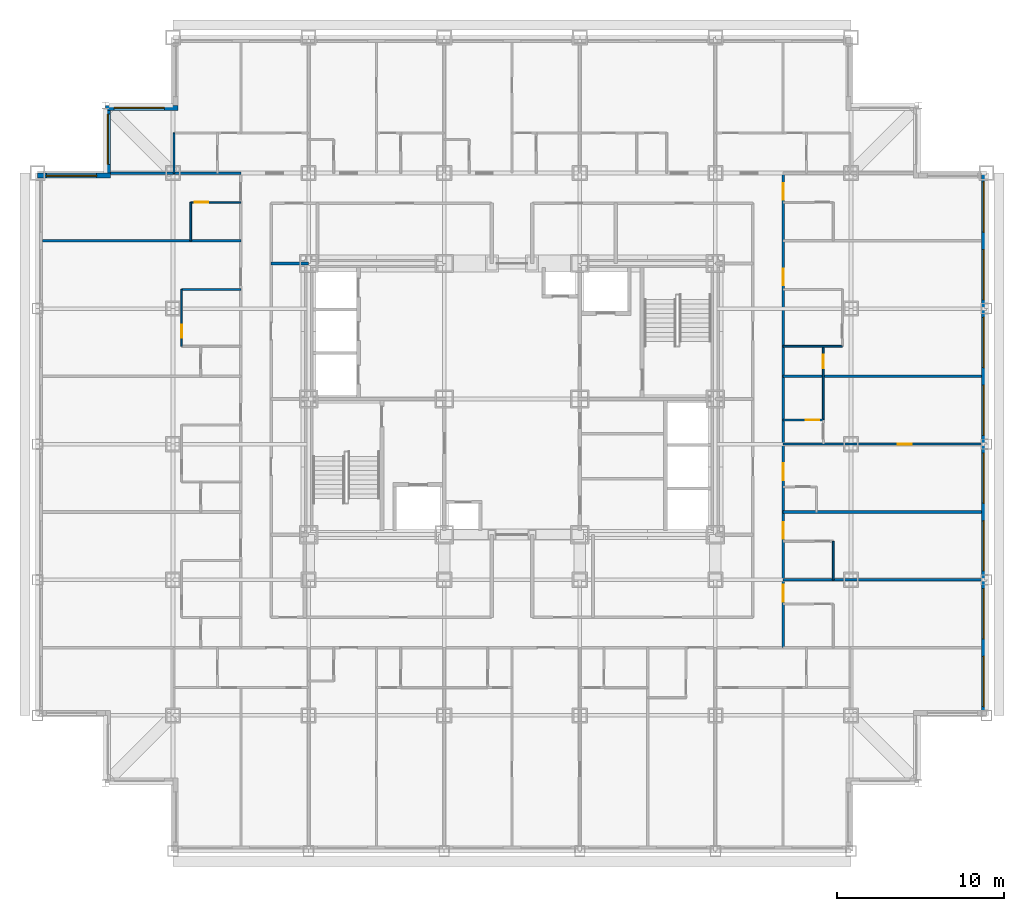
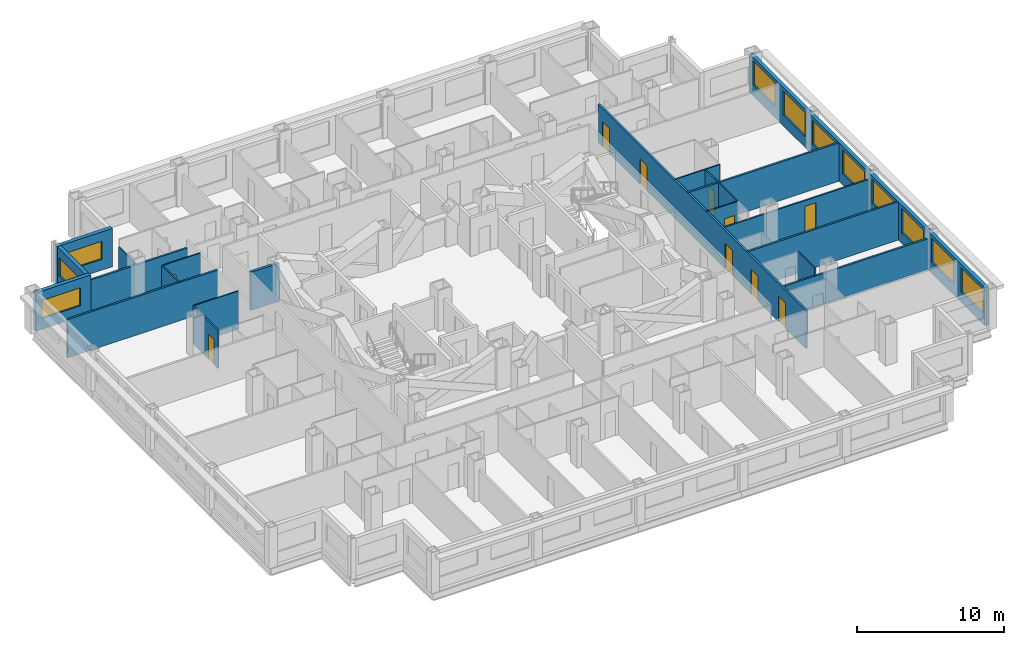
# One storey, part 8 of 12: 21 walls, 11 windows, 10 doors, 21 openings.
"""IFC4 building model written with IfcOpenShell, lengths in metres."""

from ifc_helpers import new_model, si_unit, direction, frame, frame_2d, origin, place, context, subcontext, project, spatial, rectangle, extrude, material, layer, layer_set, type_object, element, fill, save


model = new_model("IFC4")

# Units and contexts
model_context = context("Model", 3, precision=1e-05, world=origin(), true_north=direction((0.0, 1.0)))
body_context = subcontext(model_context, "Body", "Model", "MODEL_VIEW")
ifc_project = project(units=[si_unit("LENGTHUNIT", "METRE"), si_unit("AREAUNIT", "SQUARE_METRE"), si_unit("VOLUMEUNIT", "CUBIC_METRE"), si_unit("PLANEANGLEUNIT", "RADIAN"), si_unit("MASSUNIT", "GRAM", prefix="KILO")], contexts=[model_context])

# Site, building, storey
site_placement = place(None, origin())
site = spatial("IfcSite", under=ifc_project, at=site_placement, CompositionType="ELEMENT")
building_placement = place(site_placement, origin())
building = spatial("IfcBuilding", under=site, at=building_placement, Name="Kopane Lantern Tower", CompositionType="ELEMENT")
storey_placement = place(building_placement, frame((0.0, 0.0, 117.0)))
storey = spatial("IfcBuildingStorey", under=building, at=storey_placement, Name="L29", CompositionType="ELEMENT", Elevation=117.0)

# Wall, opening, door
ifc_material_1 = material(Name="Gypsum board on steel studs", Category="steel")
ifc_layer_1 = layer(ifc_material_1, 0.1201171875)
ifc_layer_set_1 = layer_set([ifc_layer_1], Name="APARTMENT INTERNAL WALL 120")
wall_type_1 = type_object("IfcWallType", Name="APARTMENT INTERNAL WALL 120", PredefinedType="PARTITIONING", material=ifc_layer_set_1)
wall_1_placement = place(storey_placement, frame((44.550048828125, 29.699951171875, 0.0), z_axis=(0.0, 0.0, 1.0), x_axis=(1.0, 0.0, 0.0)))
wall_1 = element("IfcWall", 1, at=wall_1_placement, inside=storey, type_object=wall_type_1, Name="Apartment Internal Wall 120 L29", PredefinedType="PARTITIONING", context=body_context, shape_type="SweptSolid", body=[
    extrude(rectangle(XDim=11.849853515625, YDim=0.1201171875, at=frame_2d((5.9248046875, 0.0))), origin(), (0.0, 0.0, 1.0), 2.577880859375),
])
opening_1_placement = place(wall_1_placement, frame((6.85009765625, 0.0, 0.0)))
opening_1 = element("IfcOpeningElement", 2, at=opening_1_placement, cuts=wall_1, Name="Opening L29-053", PredefinedType="OPENING", context=body_context, shape_type="SweptSolid", body=[
    extrude(rectangle(XDim=0.85009765625, YDim=2.10009765625, at=frame_2d((0.425048828125, 1.050048828125))), frame((0.0, 0.070068359375, 0.0), z_axis=(0.0, -1.0, 0.0), x_axis=(1.0, 0.0, 0.0)), (0.0, 0.0, 1.0), 0.14013671875),
])
ifc_material_2 = material(Name="Timber door set", Category="wood")
door_type_1 = type_object("IfcDoorType", Name="DOOR D4 850x2100", OperationType="SINGLE_SWING_LEFT", PredefinedType="DOOR", material=ifc_material_2)
door_1_placement = place(opening_1_placement, origin())
door_1 = element("IfcDoor", 3, at=door_1_placement, inside=storey, type_object=door_type_1, Name="Door L29-053", OperationType="SINGLE_SWING_LEFT", OverallHeight=2.10009765625, OverallWidth=0.85009765625, PredefinedType="DOOR", context=body_context, shape_type="SweptSolid", body=[
    extrude(rectangle(XDim=0.85009765625, YDim=2.10009765625, at=frame_2d((0.425048828125, 1.050048828125))), frame((0.0, 0.02490234375, 0.0), z_axis=(0.0, -1.0, 0.0), x_axis=(1.0, 0.0, 0.0)), (0.0, 0.0, 1.0), 0.050048828125),
])
fill(opening_1, door_1)

ifc_material_3 = material(Name="Moisture-resistant board on steel studs", Category="steel")
ifc_layer_2 = layer(ifc_material_3, 0.10009765625)
ifc_layer_set_2 = layer_set([ifc_layer_2], Name="BATHROOM WALL 100")
wall_type_2 = type_object("IfcWallType", Name="BATHROOM WALL 100", PredefinedType="PARTITIONING", material=ifc_layer_set_2)
wall_2_placement = place(storey_placement, frame((8.610107421875, 35.550048828125, 0.0), z_axis=(0.0, 0.0, 1.0), x_axis=(0.0, 1.0, 0.0)))
wall_2 = element("IfcWall", 4, at=wall_2_placement, inside=storey, type_object=wall_type_2, Name="Bathroom Wall 100 L29", PredefinedType="PARTITIONING", context=body_context, shape_type="SweptSolid", body=[
    extrude(rectangle(XDim=3.39990234375, YDim=0.10009765625, at=frame_2d((1.699951171875, 0.0))), origin(), (0.0, 0.0, 1.0), 3.18994140625),
])
opening_2_placement = place(wall_2_placement, frame((0.5, 0.0, 0.0)))
opening_2 = element("IfcOpeningElement", 5, at=opening_2_placement, cuts=wall_2, Name="Opening L29-041", PredefinedType="OPENING", context=body_context, shape_type="SweptSolid", body=[
    extrude(rectangle(XDim=0.800048828125, YDim=2.10009765625, at=frame_2d((0.39990234375, 1.050048828125))), frame((0.0, 0.06005859375, 0.0), z_axis=(0.0, -1.0, 0.0), x_axis=(1.0, 0.0, 0.0)), (0.0, 0.0, 1.0), 0.1201171875),
])
ifc_material_4 = material(Name="Timber door set", Category="wood")
door_type_2 = type_object("IfcDoorType", Name="DOOR D2 800x2100", OperationType="SINGLE_SWING_LEFT", PredefinedType="DOOR", material=ifc_material_4)
door_2_placement = place(opening_2_placement, origin())
door_2 = element("IfcDoor", 6, at=door_2_placement, inside=storey, type_object=door_type_2, Name="Door L29-041", OperationType="SINGLE_SWING_RIGHT", OverallHeight=2.10009765625, OverallWidth=0.800048828125, PredefinedType="DOOR", context=body_context, shape_type="SweptSolid", body=[
    extrude(rectangle(XDim=0.800048828125, YDim=2.10009765625, at=frame_2d((0.39990234375, 1.050048828125))), frame((0.0, 0.02490234375, 0.0), z_axis=(0.0, -1.0, 0.0), x_axis=(1.0, 0.0, 0.0)), (0.0, 0.0, 1.0), 0.050048828125),
])
fill(opening_2, door_2)

# Walls
wall_3_placement = place(storey_placement, frame((12.14990234375, 38.949951171875, 0.0), z_axis=(0.0, 0.0, 1.0), x_axis=(-1.0, 0.0, 0.0)))
element("IfcWall", 7, at=wall_3_placement, inside=storey, type_object=wall_type_2, Name="Bathroom Wall 100 L29", PredefinedType="PARTITIONING", context=body_context, shape_type="SweptSolid", body=[
    extrude(rectangle(XDim=3.539794921875, YDim=0.10009765625, at=frame_2d((1.77001953125, 0.0))), origin(), (0.0, 0.0, 1.0), 3.18994140625),
])
wall_4_placement = place(storey_placement, frame((9.14990234375, 41.85009765625, 0.0), z_axis=(0.0, 0.0, 1.0), x_axis=(0.0, 1.0, 0.0)))
element("IfcWall", 8, at=wall_4_placement, inside=storey, type_object=wall_type_2, Name="Bathroom Wall 100 L29", PredefinedType="PARTITIONING", context=body_context, shape_type="SweptSolid", body=[
    extrude(rectangle(XDim=2.2998046875, YDim=0.10009765625, at=frame_2d((1.14990234375, 0.0))), origin(), (0.0, 0.0, 1.0), 3.18994140625),
])

# Wall, opening, door
wall_5_placement = place(storey_placement, frame((12.14990234375, 44.14990234375, 0.0), z_axis=(0.0, 0.0, 1.0), x_axis=(-1.0, 0.0, 0.0)))
wall_5 = element("IfcWall", 9, at=wall_5_placement, inside=storey, type_object=wall_type_2, Name="Bathroom Wall 100 L29", PredefinedType="PARTITIONING", context=body_context, shape_type="SweptSolid", body=[
    extrude(rectangle(XDim=3.0, YDim=0.10009765625, at=frame_2d((1.5, 0.0))), origin(), (0.0, 0.0, 1.0), 3.18994140625),
])
opening_3_placement = place(wall_5_placement, frame((1.949951171875, 0.0, 0.0)))
opening_3 = element("IfcOpeningElement", 10, at=opening_3_placement, cuts=wall_5, Name="Opening L29-044", PredefinedType="OPENING", context=body_context, shape_type="SweptSolid", body=[
    extrude(rectangle(XDim=0.800048828125, YDim=2.10009765625, at=frame_2d((0.39990234375, 1.050048828125))), frame((0.0, 0.06005859375, 0.0), z_axis=(0.0, -1.0, 0.0), x_axis=(1.0, 0.0, 0.0)), (0.0, 0.0, 1.0), 0.1201171875),
])
door_3_placement = place(opening_3_placement, origin())
door_3 = element("IfcDoor", 11, at=door_3_placement, inside=storey, type_object=door_type_2, Name="Door L29-044", OperationType="SINGLE_SWING_RIGHT", OverallHeight=2.10009765625, OverallWidth=0.800048828125, PredefinedType="DOOR", context=body_context, shape_type="SweptSolid", body=[
    extrude(rectangle(XDim=0.800048828125, YDim=2.10009765625, at=frame_2d((0.39990234375, 1.050048828125))), frame((0.0, 0.02490234375, 0.0), z_axis=(0.0, -1.0, 0.0), x_axis=(1.0, 0.0, 0.0)), (0.0, 0.0, 1.0), 0.050048828125),
])
fill(opening_3, door_3)

# Wall
wall_6_placement = place(storey_placement, frame((47.550048828125, 21.60009765625, 0.0), z_axis=(0.0, 0.0, 1.0), x_axis=(0.0, 1.0, 0.0)))
element("IfcWall", 12, at=wall_6_placement, inside=storey, type_object=wall_type_2, Name="Bathroom Wall 100 L29", PredefinedType="PARTITIONING", context=body_context, shape_type="SweptSolid", body=[
    extrude(rectangle(XDim=2.2998046875, YDim=0.10009765625, at=frame_2d((1.14990234375, 0.0))), origin(), (0.0, 0.0, 1.0), 3.18994140625),
])

# Wall, opening, door
wall_7_placement = place(storey_placement, frame((46.949951171875, 31.14990234375, 0.0), z_axis=(0.0, 0.0, 1.0), x_axis=(0.0, 1.0, 0.0)))
wall_7 = element("IfcWall", 13, at=wall_7_placement, inside=storey, type_object=wall_type_2, Name="Bathroom Wall 100 L29", PredefinedType="PARTITIONING", context=body_context, shape_type="SweptSolid", body=[
    extrude(rectangle(XDim=4.400146484375, YDim=0.10009765625, at=frame_2d((2.2001953125, 0.0))), origin(), (0.0, 0.0, 1.0), 3.18994140625),
])
opening_4_placement = place(wall_7_placement, frame((3.10009765625, 0.0, 0.0)))
opening_4 = element("IfcOpeningElement", 14, at=opening_4_placement, cuts=wall_7, Name="Opening L29-055", PredefinedType="OPENING", context=body_context, shape_type="SweptSolid", body=[
    extrude(rectangle(XDim=0.800048828125, YDim=2.10009765625, at=frame_2d((0.39990234375, 1.050048828125))), frame((0.0, 0.06005859375, 0.0), z_axis=(0.0, -1.0, 0.0), x_axis=(1.0, 0.0, 0.0)), (0.0, 0.0, 1.0), 0.1201171875),
])
door_4_placement = place(opening_4_placement, origin())
door_4 = element("IfcDoor", 15, at=door_4_placement, inside=storey, type_object=door_type_2, Name="Door L29-055", OperationType="SINGLE_SWING_LEFT", OverallHeight=2.10009765625, OverallWidth=0.800048828125, PredefinedType="DOOR", context=body_context, shape_type="SweptSolid", body=[
    extrude(rectangle(XDim=0.800048828125, YDim=2.10009765625, at=frame_2d((0.39990234375, 1.050048828125))), frame((0.0, 0.02490234375, 0.0), z_axis=(0.0, -1.0, 0.0), x_axis=(1.0, 0.0, 0.0)), (0.0, 0.0, 1.0), 0.050048828125),
])
fill(opening_4, door_4)

wall_8_placement = place(storey_placement, frame((44.550048828125, 31.14990234375, 0.0), z_axis=(0.0, 0.0, 1.0), x_axis=(1.0, 0.0, 0.0)))
wall_8 = element("IfcWall", 16, at=wall_8_placement, inside=storey, type_object=wall_type_2, Name="Bathroom Wall 100 L29", PredefinedType="PARTITIONING", context=body_context, shape_type="SweptSolid", body=[
    extrude(rectangle(XDim=2.39990234375, YDim=0.10009765625, at=frame_2d((1.199951171875, 0.0))), origin(), (0.0, 0.0, 1.0), 3.18994140625),
])
opening_5_placement = place(wall_8_placement, frame((1.35009765625, 0.0, 0.0)))
opening_5 = element("IfcOpeningElement", 17, at=opening_5_placement, cuts=wall_8, Name="Opening L29-052", PredefinedType="OPENING", context=body_context, shape_type="SweptSolid", body=[
    extrude(rectangle(XDim=0.800048828125, YDim=2.10009765625, at=frame_2d((0.39990234375, 1.050048828125))), frame((0.0, 0.06005859375, 0.0), z_axis=(0.0, -1.0, 0.0), x_axis=(1.0, 0.0, 0.0)), (0.0, 0.0, 1.0), 0.1201171875),
])
door_5_placement = place(opening_5_placement, origin())
door_5 = element("IfcDoor", 18, at=door_5_placement, inside=storey, type_object=door_type_2, Name="Door L29-052", OperationType="SINGLE_SWING_LEFT", OverallHeight=2.10009765625, OverallWidth=0.800048828125, PredefinedType="DOOR", context=body_context, shape_type="SweptSolid", body=[
    extrude(rectangle(XDim=0.800048828125, YDim=2.10009765625, at=frame_2d((0.39990234375, 1.050048828125))), frame((0.0, 0.02490234375, 0.0), z_axis=(0.0, -1.0, 0.0), x_axis=(1.0, 0.0, 0.0)), (0.0, 0.0, 1.0), 0.050048828125),
])
fill(opening_5, door_5)

# Walls
wall_9_placement = place(storey_placement, frame((44.550048828125, 35.550048828125, 0.0), z_axis=(0.0, 0.0, 1.0), x_axis=(1.0, 0.0, 0.0)))
element("IfcWall", 19, at=wall_9_placement, inside=storey, type_object=wall_type_2, Name="Bathroom Wall 100 L29", PredefinedType="PARTITIONING", context=body_context, shape_type="SweptSolid", body=[
    extrude(rectangle(XDim=3.5400390625, YDim=0.10009765625, at=frame_2d((1.77001953125, 0.0))), origin(), (0.0, 0.0, 1.0), 3.18994140625),
])
wall_10_placement = place(storey_placement, frame((8.14990234375, 45.89990234375, 0.0), z_axis=(0.0, 0.0, 1.0), x_axis=(0.0, 1.0, 0.0)))
element("IfcWall", 20, at=wall_10_placement, inside=storey, type_object=wall_type_2, Name="Bathroom Wall 100 L29", PredefinedType="PARTITIONING", context=body_context, shape_type="SweptSolid", body=[
    extrude(rectangle(XDim=2.400146484375, YDim=0.10009765625, at=frame_2d((1.2001953125, 0.0))), origin(), (0.0, 0.0, 1.0), 2.577880859375),
])

# Wall, openings, doors
ifc_material_5 = material(Name="Gypsum board on steel studs", Category="steel")
ifc_layer_3 = layer(ifc_material_5, 0.14990234375)
ifc_layer_set_3 = layer_set([ifc_layer_3], Name="CORRIDOR WALL 150 EI 60")
wall_type_3 = type_object("IfcWallType", Name="CORRIDOR WALL 150 EI 60", PredefinedType="PARTITIONING", material=ifc_layer_set_3)
wall_11_placement = place(storey_placement, frame((44.550048828125, 17.550048828125, 0.0), z_axis=(0.0, 0.0, 1.0), x_axis=(0.0, 1.0, 0.0)))
wall_11 = element("IfcWall", 21, at=wall_11_placement, inside=storey, type_object=wall_type_3, Name="Corridor Wall 150 Ei 60 L29", PredefinedType="PARTITIONING", context=body_context, shape_type="SweptSolid", body=[
    extrude(rectangle(XDim=28.349853515625, YDim=0.14990234375, at=frame_2d((14.1748046875, 0.0))), origin(), (0.0, 0.0, 1.0), 3.18994140625),
])
opening_6_placement = place(wall_11_placement, frame((2.75, 0.0, 0.0)))
opening_6 = element("IfcOpeningElement", 22, at=opening_6_placement, cuts=wall_11, Name="Opening L29-047", PredefinedType="OPENING", context=body_context, shape_type="SweptSolid", body=[
    extrude(rectangle(XDim=1.0, YDim=2.10009765625, at=frame_2d((0.5, 1.050048828125))), frame((0.0, 0.0849609375, 0.0), z_axis=(0.0, -1.0, 0.0), x_axis=(1.0, 0.0, 0.0)), (0.0, 0.0, 1.0), 0.169921875),
])
opening_7_placement = place(wall_11_placement, frame((6.5, 0.0, 0.0)))
opening_7 = element("IfcOpeningElement", 23, at=opening_7_placement, cuts=wall_11, Name="Opening L29-049", PredefinedType="OPENING", context=body_context, shape_type="SweptSolid", body=[
    extrude(rectangle(XDim=1.0, YDim=2.10009765625, at=frame_2d((0.5, 1.050048828125))), frame((0.0, 0.0849609375, 0.0), z_axis=(0.0, -1.0, 0.0), x_axis=(1.0, 0.0, 0.0)), (0.0, 0.0, 1.0), 0.169921875),
])
opening_8_placement = place(wall_11_placement, frame((10.0, 0.0, 0.0)))
opening_8 = element("IfcOpeningElement", 24, at=opening_8_placement, cuts=wall_11, Name="Opening L29-051", PredefinedType="OPENING", context=body_context, shape_type="SweptSolid", body=[
    extrude(rectangle(XDim=1.0, YDim=2.10009765625, at=frame_2d((0.5, 1.050048828125))), frame((0.0, 0.0849609375, 0.0), z_axis=(0.0, -1.0, 0.0), x_axis=(1.0, 0.0, 0.0)), (0.0, 0.0, 1.0), 0.169921875),
])
opening_9_placement = place(wall_11_placement, frame((21.64990234375, 0.0, 0.0)))
opening_9 = element("IfcOpeningElement", 25, at=opening_9_placement, cuts=wall_11, Name="Opening L29-056", PredefinedType="OPENING", context=body_context, shape_type="SweptSolid", body=[
    extrude(rectangle(XDim=1.0, YDim=2.10009765625, at=frame_2d((0.5, 1.050048828125))), frame((0.0, 0.0849609375, 0.0), z_axis=(0.0, -1.0, 0.0), x_axis=(1.0, 0.0, 0.0)), (0.0, 0.0, 1.0), 0.169921875),
])
opening_10_placement = place(wall_11_placement, frame((26.75, 0.0, 0.0)))
opening_10 = element("IfcOpeningElement", 26, at=opening_10_placement, cuts=wall_11, Name="Opening L29-058", PredefinedType="OPENING", context=body_context, shape_type="SweptSolid", body=[
    extrude(rectangle(XDim=1.0, YDim=2.10009765625, at=frame_2d((0.5, 1.050048828125))), frame((0.0, 0.0849609375, 0.0), z_axis=(0.0, -1.0, 0.0), x_axis=(1.0, 0.0, 0.0)), (0.0, 0.0, 1.0), 0.169921875),
])
ifc_material_6 = material(Name="Steel door set", Category="steel")
door_type_3 = type_object("IfcDoorType", Name="DOOR D1 1000x2100 FD30S", OperationType="SINGLE_SWING_LEFT", PredefinedType="DOOR", material=ifc_material_6)
door_6_placement = place(opening_6_placement, origin())
door_6 = element("IfcDoor", 27, at=door_6_placement, inside=storey, type_object=door_type_3, Name="Door L29-047", OperationType="SINGLE_SWING_RIGHT", OverallHeight=2.10009765625, OverallWidth=1.0, PredefinedType="DOOR", context=body_context, shape_type="SweptSolid", body=[
    extrude(rectangle(XDim=1.0, YDim=2.10009765625, at=frame_2d((0.5, 1.050048828125))), frame((0.0, 0.02490234375, 0.0), z_axis=(0.0, -1.0, 0.0), x_axis=(1.0, 0.0, 0.0)), (0.0, 0.0, 1.0), 0.050048828125),
])
fill(opening_6, door_6)
door_7_placement = place(opening_7_placement, origin())
door_7 = element("IfcDoor", 28, at=door_7_placement, inside=storey, type_object=door_type_3, Name="Door L29-049", OperationType="SINGLE_SWING_RIGHT", OverallHeight=2.10009765625, OverallWidth=1.0, PredefinedType="DOOR", context=body_context, shape_type="SweptSolid", body=[
    extrude(rectangle(XDim=1.0, YDim=2.10009765625, at=frame_2d((0.5, 1.050048828125))), frame((0.0, 0.02490234375, 0.0), z_axis=(0.0, -1.0, 0.0), x_axis=(1.0, 0.0, 0.0)), (0.0, 0.0, 1.0), 0.050048828125),
])
fill(opening_7, door_7)
door_8_placement = place(opening_8_placement, origin())
door_8 = element("IfcDoor", 29, at=door_8_placement, inside=storey, type_object=door_type_3, Name="Door L29-051", OperationType="SINGLE_SWING_RIGHT", OverallHeight=2.10009765625, OverallWidth=1.0, PredefinedType="DOOR", context=body_context, shape_type="SweptSolid", body=[
    extrude(rectangle(XDim=1.0, YDim=2.10009765625, at=frame_2d((0.5, 1.050048828125))), frame((0.0, 0.02490234375, 0.0), z_axis=(0.0, -1.0, 0.0), x_axis=(1.0, 0.0, 0.0)), (0.0, 0.0, 1.0), 0.050048828125),
])
fill(opening_8, door_8)
door_9_placement = place(opening_9_placement, origin())
door_9 = element("IfcDoor", 30, at=door_9_placement, inside=storey, type_object=door_type_3, Name="Door L29-056", OperationType="SINGLE_SWING_RIGHT", OverallHeight=2.10009765625, OverallWidth=1.0, PredefinedType="DOOR", context=body_context, shape_type="SweptSolid", body=[
    extrude(rectangle(XDim=1.0, YDim=2.10009765625, at=frame_2d((0.5, 1.050048828125))), frame((0.0, 0.02490234375, 0.0), z_axis=(0.0, -1.0, 0.0), x_axis=(1.0, 0.0, 0.0)), (0.0, 0.0, 1.0), 0.050048828125),
])
fill(opening_9, door_9)
door_10_placement = place(opening_10_placement, origin())
door_10 = element("IfcDoor", 31, at=door_10_placement, inside=storey, type_object=door_type_3, Name="Door L29-058", OperationType="SINGLE_SWING_RIGHT", OverallHeight=2.10009765625, OverallWidth=1.0, PredefinedType="DOOR", context=body_context, shape_type="SweptSolid", body=[
    extrude(rectangle(XDim=1.0, YDim=2.10009765625, at=frame_2d((0.5, 1.050048828125))), frame((0.0, 0.02490234375, 0.0), z_axis=(0.0, -1.0, 0.0), x_axis=(1.0, 0.0, 0.0)), (0.0, 0.0, 1.0), 0.050048828125),
])
fill(opening_10, door_10)

# Walls
ifc_material_7 = material(Name="Gypsum board on steel studs", Category="steel")
ifc_layer_4 = layer(ifc_material_7, 0.14990234375)
ifc_layer_set_4 = layer_set([ifc_layer_4], Name="DEMISING WALL 150 EI 60")
wall_type_4 = type_object("IfcWallType", Name="DEMISING WALL 150 EI 60", PredefinedType="PARTITIONING", material=ifc_layer_set_4)
wall_12_placement = place(storey_placement, frame((12.14990234375, 41.85009765625, 0.0), z_axis=(0.0, 0.0, 1.0), x_axis=(-1.0, 0.0, 0.0)))
element("IfcWall", 32, at=wall_12_placement, inside=storey, type_object=wall_type_4, Name="Demising Wall 150 Ei 60 L29", PredefinedType="PARTITIONING", context=body_context, shape_type="SweptSolid", body=[
    extrude(rectangle(XDim=11.849853515625, YDim=0.14990234375, at=frame_2d((5.9248046875, 0.0))), origin(), (0.0, 0.0, 1.0), 3.18994140625),
])
wall_13_placement = place(storey_placement, frame((44.550048828125, 21.60009765625, 0.0), z_axis=(0.0, 0.0, 1.0), x_axis=(1.0, 0.0, 0.0)))
element("IfcWall", 33, at=wall_13_placement, inside=storey, type_object=wall_type_4, Name="Demising Wall 150 Ei 60 L29", PredefinedType="PARTITIONING", context=body_context, shape_type="SweptSolid", body=[
    extrude(rectangle(XDim=11.849853515625, YDim=0.14990234375, at=frame_2d((5.9248046875, 0.0))), origin(), (0.0, 0.0, 1.0), 2.577880859375),
])
for number, where, z_axis, x_axis, name in (
    (34, (44.550048828125, 25.64990234375, 0.0), (0.0, 0.0, 1.0), (1.0, 0.0, 0.0), "Demising Wall 150 Ei 60 L29"),
    (35, (44.550048828125, 33.75, 0.0), (0.0, 0.0, 1.0), (1.0, 0.0, 0.0), "Demising Wall 150 Ei 60 L29"),
):
    element("IfcWall", number, at=place(storey_placement, frame(where, z_axis=z_axis, x_axis=x_axis)), inside=storey, type_object=wall_type_4, Name=name, PredefinedType="PARTITIONING", context=body_context, shape_type="SweptSolid", body=[
        extrude(rectangle(XDim=11.849853515625, YDim=0.14990234375, at=frame_2d((5.9248046875, 0.0))), origin(), (0.0, 0.0, 1.0), 3.18994140625),
    ])
wall_14_placement = place(storey_placement, frame((4.35009765625, 45.89990234375, 0.0), z_axis=(0.0, 0.0, 1.0), x_axis=(1.0, 0.0, 0.0)))
element("IfcWall", 36, at=wall_14_placement, inside=storey, type_object=wall_type_4, Name="Demising Wall 150 Ei 60 L29", PredefinedType="PARTITIONING", context=body_context, shape_type="SweptSolid", body=[
    extrude(rectangle(XDim=7.7998046875, YDim=0.14990234375, at=frame_2d((3.89990234375, 0.0))), origin(), (0.0, 0.0, 1.0), 2.577880859375),
])

# Wall, openings, windows
ifc_material_8 = material(Name="Terracotta rainscreen on light steel framing", Category="masonry")
ifc_layer_5 = layer(ifc_material_8, 0.300048828125)
ifc_layer_set_5 = layer_set([ifc_layer_5], Name="EXTERNAL WALL EW1 300 TERRACOTTA")
wall_type_5 = type_object("IfcWallType", Name="EXTERNAL WALL EW1 300 TERRACOTTA", PredefinedType="SOLIDWALL", material=ifc_layer_set_5)
wall_15_placement = place(storey_placement, frame((56.550048828125, 13.800048828125, 0.0), z_axis=(0.0, 0.0, 1.0), x_axis=(0.0, 1.0, 0.0)))
wall_15 = element("IfcWall", 37, at=wall_15_placement, inside=storey, type_object=wall_type_5, Name="External wall E L29", PredefinedType="SOLIDWALL", context=body_context, shape_type="SweptSolid", body=[
    extrude(rectangle(XDim=32.099853515625, YDim=0.300048828125, at=frame_2d((16.0498046875, 0.0))), origin(), (0.0, 0.0, 1.0), 3.18994140625),
])
opening_11_placement = place(wall_15_placement, frame((0.22509765625, 0.0, 0.89990234375)))
opening_11 = element("IfcOpeningElement", 38, at=opening_11_placement, cuts=wall_15, Name="Opening WR300200", PredefinedType="OPENING", context=body_context, shape_type="SweptSolid", body=[
    extrude(rectangle(XDim=3.0, YDim=2.0, at=frame_2d((1.5, 1.0))), frame((0.0, 0.159912109375, 0.0), z_axis=(0.0, -1.0, 0.0), x_axis=(1.0, 0.0, 0.0)), (0.0, 0.0, 1.0), 0.320068359375),
])
opening_12_placement = place(wall_15_placement, frame((4.27490234375, 0.0, 0.89990234375)))
opening_12 = element("IfcOpeningElement", 39, at=opening_12_placement, cuts=wall_15, Name="Opening WR300200", PredefinedType="OPENING", context=body_context, shape_type="SweptSolid", body=[
    extrude(rectangle(XDim=3.0, YDim=2.0, at=frame_2d((1.5, 1.0))), frame((0.0, 0.159912109375, 0.0), z_axis=(0.0, -1.0, 0.0), x_axis=(1.0, 0.0, 0.0)), (0.0, 0.0, 1.0), 0.320068359375),
])
opening_13_placement = place(wall_15_placement, frame((8.324951171875, 0.0, 0.89990234375)))
opening_13 = element("IfcOpeningElement", 40, at=opening_13_placement, cuts=wall_15, Name="Opening WR300200", PredefinedType="OPENING", context=body_context, shape_type="SweptSolid", body=[
    extrude(rectangle(XDim=3.0, YDim=2.0, at=frame_2d((1.5, 1.0))), frame((0.0, 0.159912109375, 0.0), z_axis=(0.0, -1.0, 0.0), x_axis=(1.0, 0.0, 0.0)), (0.0, 0.0, 1.0), 0.320068359375),
])
opening_14_placement = place(wall_15_placement, frame((12.375, 0.0, 0.89990234375)))
opening_14 = element("IfcOpeningElement", 41, at=opening_14_placement, cuts=wall_15, Name="Opening WR300200", PredefinedType="OPENING", context=body_context, shape_type="SweptSolid", body=[
    extrude(rectangle(XDim=3.0, YDim=2.0, at=frame_2d((1.5, 1.0))), frame((0.0, 0.159912109375, 0.0), z_axis=(0.0, -1.0, 0.0), x_axis=(1.0, 0.0, 0.0)), (0.0, 0.0, 1.0), 0.320068359375),
])
opening_15_placement = place(wall_15_placement, frame((16.425048828125, 0.0, 0.89990234375)))
opening_15 = element("IfcOpeningElement", 42, at=opening_15_placement, cuts=wall_15, Name="Opening WR300200", PredefinedType="OPENING", context=body_context, shape_type="SweptSolid", body=[
    extrude(rectangle(XDim=3.0, YDim=2.0, at=frame_2d((1.5, 1.0))), frame((0.0, 0.159912109375, 0.0), z_axis=(0.0, -1.0, 0.0), x_axis=(1.0, 0.0, 0.0)), (0.0, 0.0, 1.0), 0.320068359375),
])
opening_16_placement = place(wall_15_placement, frame((20.47509765625, 0.0, 0.89990234375)))
opening_16 = element("IfcOpeningElement", 43, at=opening_16_placement, cuts=wall_15, Name="Opening WR300200", PredefinedType="OPENING", context=body_context, shape_type="SweptSolid", body=[
    extrude(rectangle(XDim=3.0, YDim=2.0, at=frame_2d((1.5, 1.0))), frame((0.0, 0.159912109375, 0.0), z_axis=(0.0, -1.0, 0.0), x_axis=(1.0, 0.0, 0.0)), (0.0, 0.0, 1.0), 0.320068359375),
])
opening_17_placement = place(wall_15_placement, frame((24.52490234375, 0.0, 0.89990234375)))
opening_17 = element("IfcOpeningElement", 44, at=opening_17_placement, cuts=wall_15, Name="Opening WR300200", PredefinedType="OPENING", context=body_context, shape_type="SweptSolid", body=[
    extrude(rectangle(XDim=3.0, YDim=2.0, at=frame_2d((1.5, 1.0))), frame((0.0, 0.159912109375, 0.0), z_axis=(0.0, -1.0, 0.0), x_axis=(1.0, 0.0, 0.0)), (0.0, 0.0, 1.0), 0.320068359375),
])
opening_18_placement = place(wall_15_placement, frame((28.574951171875, 0.0, 0.89990234375)))
opening_18 = element("IfcOpeningElement", 45, at=opening_18_placement, cuts=wall_15, Name="Opening WR300200", PredefinedType="OPENING", context=body_context, shape_type="SweptSolid", body=[
    extrude(rectangle(XDim=3.0, YDim=2.0, at=frame_2d((1.5, 1.0))), frame((0.0, 0.159912109375, 0.0), z_axis=(0.0, -1.0, 0.0), x_axis=(1.0, 0.0, 0.0)), (0.0, 0.0, 1.0), 0.320068359375),
])
ifc_material_9 = material(Name="Aluminium and clear glass", Category="aluminium")
window_type_1 = type_object("IfcWindowType", Name="RIBBON WINDOW WR300200 3000x2000", PartitioningType="SINGLE_PANEL", PredefinedType="WINDOW", material=ifc_material_9)
window_1_placement = place(opening_11_placement, origin())
window_1 = element("IfcWindow", 46, at=window_1_placement, inside=storey, type_object=window_type_1, Name="Window E L29", OverallHeight=2.0, OverallWidth=3.0, PartitioningType="SINGLE_PANEL", PredefinedType="WINDOW", context=body_context, shape_type="SweptSolid", body=[
    extrude(rectangle(XDim=3.0, YDim=2.0, at=frame_2d((1.5, 1.0))), frame((0.0, 0.030029296875, 0.0), z_axis=(0.0, -1.0, 0.0), x_axis=(1.0, 0.0, 0.0)), (0.0, 0.0, 1.0), 0.06005859375),
])
fill(opening_11, window_1)
window_2_placement = place(opening_12_placement, origin())
window_2 = element("IfcWindow", 47, at=window_2_placement, inside=storey, type_object=window_type_1, Name="Window E L29", OverallHeight=2.0, OverallWidth=3.0, PartitioningType="SINGLE_PANEL", PredefinedType="WINDOW", context=body_context, shape_type="SweptSolid", body=[
    extrude(rectangle(XDim=3.0, YDim=2.0, at=frame_2d((1.5, 1.0))), frame((0.0, 0.030029296875, 0.0), z_axis=(0.0, -1.0, 0.0), x_axis=(1.0, 0.0, 0.0)), (0.0, 0.0, 1.0), 0.06005859375),
])
fill(opening_12, window_2)
window_3_placement = place(opening_13_placement, origin())
window_3 = element("IfcWindow", 48, at=window_3_placement, inside=storey, type_object=window_type_1, Name="Window E L29", OverallHeight=2.0, OverallWidth=3.0, PartitioningType="SINGLE_PANEL", PredefinedType="WINDOW", context=body_context, shape_type="SweptSolid", body=[
    extrude(rectangle(XDim=3.0, YDim=2.0, at=frame_2d((1.5, 1.0))), frame((0.0, 0.030029296875, 0.0), z_axis=(0.0, -1.0, 0.0), x_axis=(1.0, 0.0, 0.0)), (0.0, 0.0, 1.0), 0.06005859375),
])
fill(opening_13, window_3)
window_4_placement = place(opening_14_placement, origin())
window_4 = element("IfcWindow", 49, at=window_4_placement, inside=storey, type_object=window_type_1, Name="Window E L29", OverallHeight=2.0, OverallWidth=3.0, PartitioningType="SINGLE_PANEL", PredefinedType="WINDOW", context=body_context, shape_type="SweptSolid", body=[
    extrude(rectangle(XDim=3.0, YDim=2.0, at=frame_2d((1.5, 1.0))), frame((0.0, 0.030029296875, 0.0), z_axis=(0.0, -1.0, 0.0), x_axis=(1.0, 0.0, 0.0)), (0.0, 0.0, 1.0), 0.06005859375),
])
fill(opening_14, window_4)
window_5_placement = place(opening_15_placement, origin())
window_5 = element("IfcWindow", 50, at=window_5_placement, inside=storey, type_object=window_type_1, Name="Window E L29", OverallHeight=2.0, OverallWidth=3.0, PartitioningType="SINGLE_PANEL", PredefinedType="WINDOW", context=body_context, shape_type="SweptSolid", body=[
    extrude(rectangle(XDim=3.0, YDim=2.0, at=frame_2d((1.5, 1.0))), frame((0.0, 0.030029296875, 0.0), z_axis=(0.0, -1.0, 0.0), x_axis=(1.0, 0.0, 0.0)), (0.0, 0.0, 1.0), 0.06005859375),
])
fill(opening_15, window_5)
window_6_placement = place(opening_16_placement, origin())
window_6 = element("IfcWindow", 51, at=window_6_placement, inside=storey, type_object=window_type_1, Name="Window E L29", OverallHeight=2.0, OverallWidth=3.0, PartitioningType="SINGLE_PANEL", PredefinedType="WINDOW", context=body_context, shape_type="SweptSolid", body=[
    extrude(rectangle(XDim=3.0, YDim=2.0, at=frame_2d((1.5, 1.0))), frame((0.0, 0.030029296875, 0.0), z_axis=(0.0, -1.0, 0.0), x_axis=(1.0, 0.0, 0.0)), (0.0, 0.0, 1.0), 0.06005859375),
])
fill(opening_16, window_6)
window_7_placement = place(opening_17_placement, origin())
window_7 = element("IfcWindow", 52, at=window_7_placement, inside=storey, type_object=window_type_1, Name="Window E L29", OverallHeight=2.0, OverallWidth=3.0, PartitioningType="SINGLE_PANEL", PredefinedType="WINDOW", context=body_context, shape_type="SweptSolid", body=[
    extrude(rectangle(XDim=3.0, YDim=2.0, at=frame_2d((1.5, 1.0))), frame((0.0, 0.030029296875, 0.0), z_axis=(0.0, -1.0, 0.0), x_axis=(1.0, 0.0, 0.0)), (0.0, 0.0, 1.0), 0.06005859375),
])
fill(opening_17, window_7)
window_8_placement = place(opening_18_placement, origin())
window_8 = element("IfcWindow", 53, at=window_8_placement, inside=storey, type_object=window_type_1, Name="Window E L29", OverallHeight=2.0, OverallWidth=3.0, PartitioningType="SINGLE_PANEL", PredefinedType="WINDOW", context=body_context, shape_type="SweptSolid", body=[
    extrude(rectangle(XDim=3.0, YDim=2.0, at=frame_2d((1.5, 1.0))), frame((0.0, 0.030029296875, 0.0), z_axis=(0.0, -1.0, 0.0), x_axis=(1.0, 0.0, 0.0)), (0.0, 0.0, 1.0), 0.06005859375),
])
fill(opening_18, window_8)

# Wall, opening, window
wall_16_placement = place(storey_placement, frame((8.39990234375, 49.800048828125, 0.0), z_axis=(0.0, 0.0, 1.0), x_axis=(-1.0, 0.0, 0.0)))
wall_16 = element("IfcWall", 54, at=wall_16_placement, inside=storey, type_object=wall_type_5, Name="External wall N L29", PredefinedType="SOLIDWALL", context=body_context, shape_type="SweptSolid", body=[
    extrude(rectangle(XDim=4.349853515625, YDim=0.300048828125, at=frame_2d((2.1748046875, 0.0))), origin(), (0.0, 0.0, 1.0), 3.18994140625),
])
opening_19_placement = place(wall_16_placement, frame((0.824951171875, 0.0, 0.89990234375)))
opening_19 = element("IfcOpeningElement", 55, at=opening_19_placement, cuts=wall_16, Name="Opening WR300150", PredefinedType="OPENING", context=body_context, shape_type="SweptSolid", body=[
    extrude(rectangle(XDim=3.0, YDim=1.5, at=frame_2d((1.5, 0.75))), frame((0.0, 0.159912109375, 0.0), z_axis=(0.0, -1.0, 0.0), x_axis=(1.0, 0.0, 0.0)), (0.0, 0.0, 1.0), 0.320068359375),
])
ifc_material_10 = material(Name="Aluminium and clear glass", Category="aluminium")
window_type_2 = type_object("IfcWindowType", Name="RIBBON WINDOW WR300150 3000x1500", PartitioningType="SINGLE_PANEL", PredefinedType="WINDOW", material=ifc_material_10)
window_9_placement = place(opening_19_placement, origin())
window_9 = element("IfcWindow", 56, at=window_9_placement, inside=storey, type_object=window_type_2, Name="Window N L29", OverallHeight=1.5, OverallWidth=3.0, PartitioningType="SINGLE_PANEL", PredefinedType="WINDOW", context=body_context, shape_type="SweptSolid", body=[
    extrude(rectangle(XDim=3.0, YDim=1.5, at=frame_2d((1.5, 0.75))), frame((0.0, 0.030029296875, 0.0), z_axis=(0.0, -1.0, 0.0), x_axis=(1.0, 0.0, 0.0)), (0.0, 0.0, 1.0), 0.06005859375),
])
fill(opening_19, window_9)

wall_17_placement = place(storey_placement, frame((4.199951171875, 49.64990234375, 0.0), z_axis=(0.0, 0.0, 1.0), x_axis=(0.0, -1.0, 0.0)))
wall_17 = element("IfcWall", 57, at=wall_17_placement, inside=storey, type_object=wall_type_5, Name="External wall W L29", PredefinedType="SOLIDWALL", context=body_context, shape_type="SweptSolid", body=[
    extrude(rectangle(XDim=3.75, YDim=0.300048828125, at=frame_2d((1.875, 0.0))), origin(), (0.0, 0.0, 1.0), 3.18994140625),
])
opening_20_placement = place(wall_17_placement, frame((0.22509765625, 0.0, 0.89990234375)))
opening_20 = element("IfcOpeningElement", 58, at=opening_20_placement, cuts=wall_17, Name="Opening WR300150", PredefinedType="OPENING", context=body_context, shape_type="SweptSolid", body=[
    extrude(rectangle(XDim=3.0, YDim=1.5, at=frame_2d((1.5, 0.75))), frame((0.0, 0.159912109375, 0.0), z_axis=(0.0, -1.0, 0.0), x_axis=(1.0, 0.0, 0.0)), (0.0, 0.0, 1.0), 0.320068359375),
])
window_10_placement = place(opening_20_placement, origin())
window_10 = element("IfcWindow", 59, at=window_10_placement, inside=storey, type_object=window_type_2, Name="Window W L29", OverallHeight=1.5, OverallWidth=3.0, PartitioningType="SINGLE_PANEL", PredefinedType="WINDOW", context=body_context, shape_type="SweptSolid", body=[
    extrude(rectangle(XDim=3.0, YDim=1.5, at=frame_2d((1.5, 0.75))), frame((0.0, 0.030029296875, 0.0), z_axis=(0.0, -1.0, 0.0), x_axis=(1.0, 0.0, 0.0)), (0.0, 0.0, 1.0), 0.06005859375),
])
fill(opening_20, window_10)

wall_18_placement = place(storey_placement, frame((4.35009765625, 45.75, 0.0), z_axis=(0.0, 0.0, 1.0), x_axis=(-1.0, 0.0, 0.0)))
wall_18 = element("IfcWall", 60, at=wall_18_placement, inside=storey, type_object=wall_type_5, Name="External wall N L29", PredefinedType="SOLIDWALL", context=body_context, shape_type="SweptSolid", body=[
    extrude(rectangle(XDim=4.35009765625, YDim=0.300048828125, at=frame_2d((2.175048828125, 0.0))), origin(), (0.0, 0.0, 1.0), 3.18994140625),
])
opening_21_placement = place(wall_18_placement, frame((0.824951171875, 0.0, 0.89990234375)))
opening_21 = element("IfcOpeningElement", 61, at=opening_21_placement, cuts=wall_18, Name="Opening WR300150", PredefinedType="OPENING", context=body_context, shape_type="SweptSolid", body=[
    extrude(rectangle(XDim=3.0, YDim=1.5, at=frame_2d((1.5, 0.75))), frame((0.0, 0.159912109375, 0.0), z_axis=(0.0, -1.0, 0.0), x_axis=(1.0, 0.0, 0.0)), (0.0, 0.0, 1.0), 0.320068359375),
])
window_11_placement = place(opening_21_placement, origin())
window_11 = element("IfcWindow", 62, at=window_11_placement, inside=storey, type_object=window_type_2, Name="Window N L29", OverallHeight=1.5, OverallWidth=3.0, PartitioningType="SINGLE_PANEL", PredefinedType="WINDOW", context=body_context, shape_type="SweptSolid", body=[
    extrude(rectangle(XDim=3.0, YDim=1.5, at=frame_2d((1.5, 0.75))), frame((0.0, 0.030029296875, 0.0), z_axis=(0.0, -1.0, 0.0), x_axis=(1.0, 0.0, 0.0)), (0.0, 0.0, 1.0), 0.06005859375),
])
fill(opening_21, window_11)

# Wall
ifc_material_11 = material(Name="Concrete masonry", Category="masonry")
ifc_layer_6 = layer(ifc_material_11, 0.199951171875)
ifc_layer_set_6 = layer_set([ifc_layer_6], Name="PLANT ROOM WALL 200 EI 120")
wall_type_6 = type_object("IfcWallType", Name="PLANT ROOM WALL 200 EI 120", PredefinedType="SOLIDWALL", material=ifc_layer_set_6)
wall_19_placement = place(storey_placement, frame((13.949951171875, 40.5, 0.0), z_axis=(0.0, 0.0, 1.0), x_axis=(1.0, 0.0, 0.0)))
element("IfcWall", 63, at=wall_19_placement, inside=storey, type_object=wall_type_6, Name="Plant Room Wall 200 Ei 120 L29", PredefinedType="SOLIDWALL", context=body_context, shape_type="SweptSolid", body=[
    extrude(rectangle(XDim=2.25, YDim=0.199951171875, at=frame_2d((1.125, 0.0))), origin(), (0.0, 0.0, 1.0), 3.18994140625),
])

save(model, "model.ifc")
